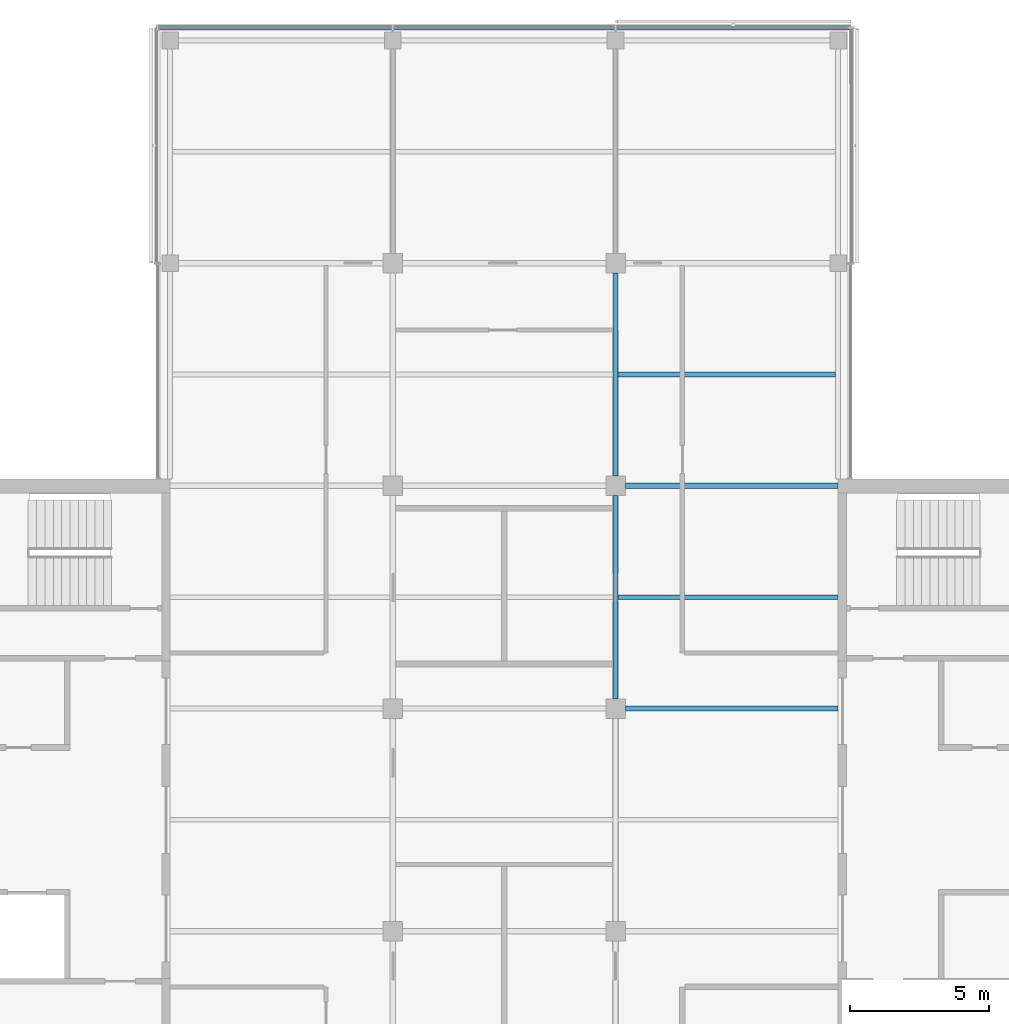
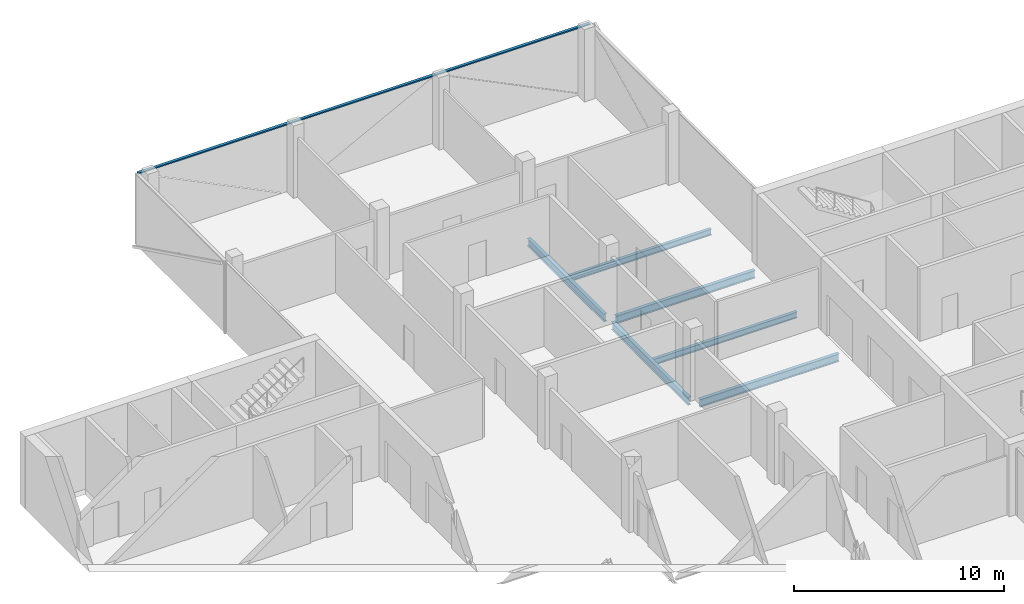
# One storey, part 6 of 16: 6 beams, 1 member, 1 element without a shape of its own.
"""IFC4 building model written with IfcOpenShell, lengths in metres."""

from ifc_helpers import new_model, si_unit, direction, frame, origin, origin_2d, place, context, subcontext, project, spatial, rectangle, i_section, extrude, material, material_profile, profile_set, type_object, element, aggregate, save


model = new_model("IFC4")

# Units and contexts
model_context = context("Model", 3, precision=1e-05, world=origin(), true_north=direction((0.0, 1.0)))
body_context = subcontext(model_context, "Body", "Model", "MODEL_VIEW")
ifc_project = project(units=[si_unit("LENGTHUNIT", "METRE"), si_unit("AREAUNIT", "SQUARE_METRE"), si_unit("VOLUMEUNIT", "CUBIC_METRE"), si_unit("PLANEANGLEUNIT", "RADIAN"), si_unit("MASSUNIT", "GRAM", prefix="KILO")], contexts=[model_context])

# Site, building, storey
site_placement = place(None, origin())
site = spatial("IfcSite", under=ifc_project, at=site_placement, CompositionType="ELEMENT")
building_placement = place(site_placement, origin())
building = spatial("IfcBuilding", under=site, at=building_placement, Name="Crosswind Convention Tower", CompositionType="ELEMENT")
storey_placement = place(building_placement, frame((0.0, 0.0, 282.89990234375)))
storey = spatial("IfcBuildingStorey", under=building, at=storey_placement, Name="L61", CompositionType="ELEMENT", Elevation=282.89990234375)

# Beams
ifc_material_1 = material(Name="Steel S355", Category="steel")
ifc_material_profile_1 = material_profile(ifc_material_1, i_section(OverallWidth=0.18994140625, OverallDepth=0.45361328125, WebThickness=0.008544921875, FlangeThickness=0.0126953125, FilletRadius=0.01025390625, at=origin_2d()), Name="UB 457x191x67")
ifc_profile_set_1 = profile_set([ifc_material_profile_1], Name="Steel S355")
beam_type_1 = type_object("IfcBeamType", Name="Girder UB 457x191x67", PredefinedType="BEAM", material=ifc_profile_set_1)
for number, where, z_axis, x_axis, name in (
    (1, (129.0, 104.35009765625, -0.526611328125), (0.0, 1.0, 0.0), (-1.0, 0.0, 0.0), "B1 L61 girder 20"),
    (2, (129.0, 112.35009765625, -0.526611328125), (0.0, 1.0, 0.0), (-1.0, 0.0, 0.0), "B1 L61 girder 21"),
):
    element("IfcBeam", number, at=place(storey_placement, frame(where, z_axis=z_axis, x_axis=x_axis)), inside=storey, type_object=beam_type_1, Name=name, PredefinedType="BEAM", context=body_context, shape_type="SweptSolid", body=[
        extrude(i_section(OverallWidth=0.18994140625, OverallDepth=0.45361328125, WebThickness=0.008544921875, FlangeThickness=0.0126953125, FilletRadius=0.01025390625, at=origin_2d()), origin(), (0.0, 0.0, 1.0), 7.2998046875),
    ])
ifc_material_profile_2 = material_profile(ifc_material_1, i_section(OverallWidth=0.1904296875, OverallDepth=0.457275390625, WebThickness=0.009033203125, FlangeThickness=0.014404296875, FilletRadius=0.01025390625, at=origin_2d()), Name="UB 457x191x75")
ifc_profile_set_2 = profile_set([ifc_material_profile_2], Name="Steel S355")
beam_type_2 = type_object("IfcBeamType", Name="Girder at core wall UB 457x191x75", PredefinedType="BEAM", material=ifc_profile_set_2)
for number, where, z_axis, x_axis, name in (
    (3, (129.35009765625, 104.0, -0.528564453125), (1.0, 0.0, 0.0), (0.0, 1.0, 0.0), "B22 L61 girder at core wall 7"),
    (4, (129.35009765625, 112.0, -0.528564453125), (1.0, 0.0, 0.0), (0.0, 1.0, 0.0), "B22 L61 girder at core wall 8"),
):
    element("IfcBeam", number, at=place(storey_placement, frame(where, z_axis=z_axis, x_axis=x_axis)), inside=storey, type_object=beam_type_2, Name=name, PredefinedType="BEAM", context=body_context, shape_type="SweptSolid", body=[
        extrude(i_section(OverallWidth=0.1904296875, OverallDepth=0.457275390625, WebThickness=0.009033203125, FlangeThickness=0.014404296875, FilletRadius=0.01025390625, at=origin_2d()), origin(), (0.0, 0.0, 1.0), 7.64990234375),
    ])
ifc_material_profile_3 = material_profile(ifc_material_1, i_section(OverallWidth=0.17138671875, OverallDepth=0.355712890625, WebThickness=0.00732421875, FlangeThickness=0.011474609375, FilletRadius=0.01025390625, at=origin_2d()), Name="UB 356x171x51")
ifc_profile_set_3 = profile_set([ifc_material_profile_3], Name="Steel S355")
beam_type_3 = type_object("IfcBeamType", Name="Secondary beam UB 356x171x51", PredefinedType="JOIST", material=ifc_profile_set_3)
beam_1_placement = place(storey_placement, frame((129.094970703125, 108.0, -0.477783203125), z_axis=(1.0, 0.0, 0.0), x_axis=(0.0, 1.0, 0.0)))
element("IfcBeam", 5, at=beam_1_placement, inside=storey, type_object=beam_type_3, Name="B8 L61 secondary beam 19", PredefinedType="JOIST", context=body_context, shape_type="SweptSolid", body=[
    extrude(i_section(OverallWidth=0.17138671875, OverallDepth=0.355712890625, WebThickness=0.00732421875, FlangeThickness=0.011474609375, FilletRadius=0.01025390625, at=origin_2d()), origin(), (0.0, 0.0, 1.0), 7.905029296875),
])
beam_2_placement = place(storey_placement, frame((129.094970703125, 116.0, -0.477783203125), z_axis=(1.0, 0.0, 0.0), x_axis=(0.0, 1.0, 0.0)))
element("IfcBeam", 6, at=beam_2_placement, inside=storey, type_object=beam_type_3, Name="B8 L61 secondary beam 20", PredefinedType="JOIST", context=body_context, shape_type="SweptSolid", body=[
    extrude(i_section(OverallWidth=0.17138671875, OverallDepth=0.355712890625, WebThickness=0.00732421875, FlangeThickness=0.011474609375, FilletRadius=0.01025390625, at=origin_2d()), origin(), (0.0, 0.0, 1.0), 7.816162109375),
])

# Curtain wall, member
ifc_material_2 = material(Name="Aluminium unitised curtain wall", Category="aluminium")
curtain_wall_type = type_object("IfcCurtainWallType", Name="OFFICE UNITISED WALL 220", PredefinedType="USERDEFINED", material=ifc_material_2)
curtain_wall_placement = place(storey_placement, origin())
curtain_wall = element("IfcCurtainWall", 7, at=curtain_wall_placement, inside=storey, type_object=curtain_wall_type, Name="CW3 L61 N-TIP 1", ObjectType="UNITISED", PredefinedType="USERDEFINED")
ifc_material_3 = material(Name="Aluminium transom", Category="aluminium")
ifc_material_profile_4 = material_profile(ifc_material_3, rectangle(XDim=0.159912109375, YDim=0.070068359375, at=origin_2d()), Name="AL 160X70")
ifc_profile_set_4 = profile_set([ifc_material_profile_4], Name="Aluminium transom")
member_type = type_object("IfcMemberType", Name="TRANSOM 70X160", PredefinedType="USERDEFINED", material=ifc_profile_set_4)
member_placement = place(storey_placement, frame((137.425048828125, 128.4599609375, 3.864990234375), z_axis=(-1.0, 0.0, 0.0), x_axis=(0.0, -1.0, 0.0)))
member = element("IfcMember", 8, at=member_placement, type_object=member_type, Name="CW3 transom", ObjectType="TRANSOM", PredefinedType="USERDEFINED", context=body_context, shape_type="SweptSolid", body=[
    extrude(rectangle(XDim=0.159912109375, YDim=0.070068359375, at=origin_2d()), origin(), (0.0, 0.0, 1.0), 24.85009765625),
])
aggregate(curtain_wall, [member])

save(model, "model.ifc")
